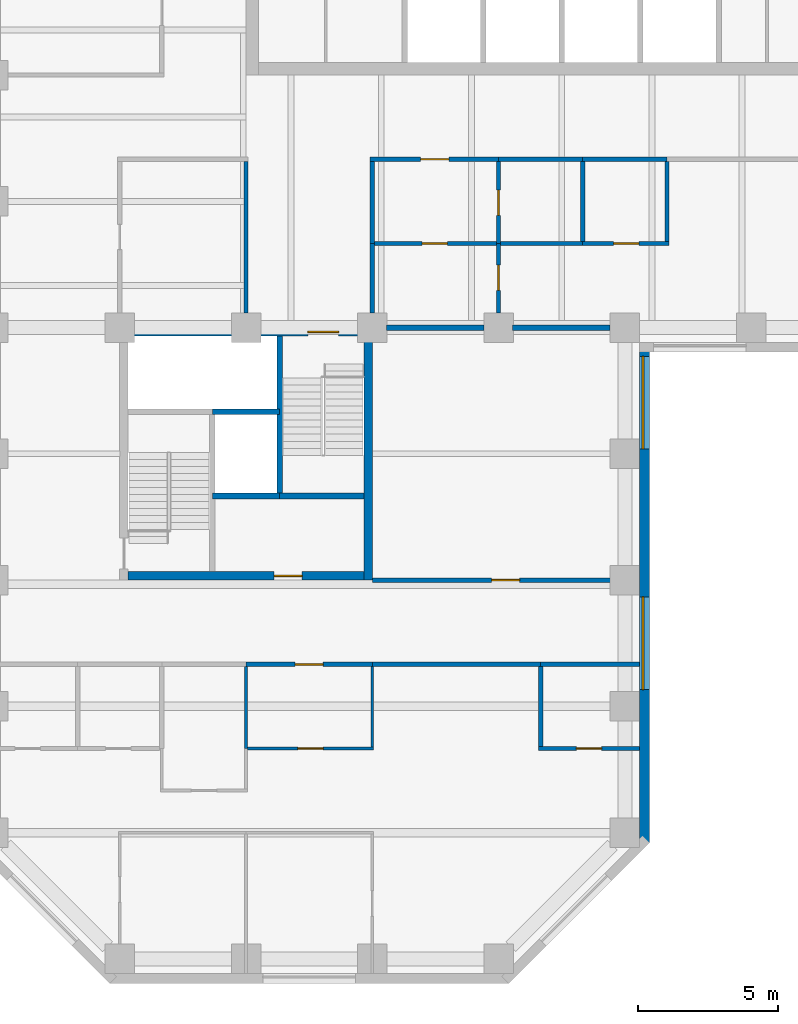
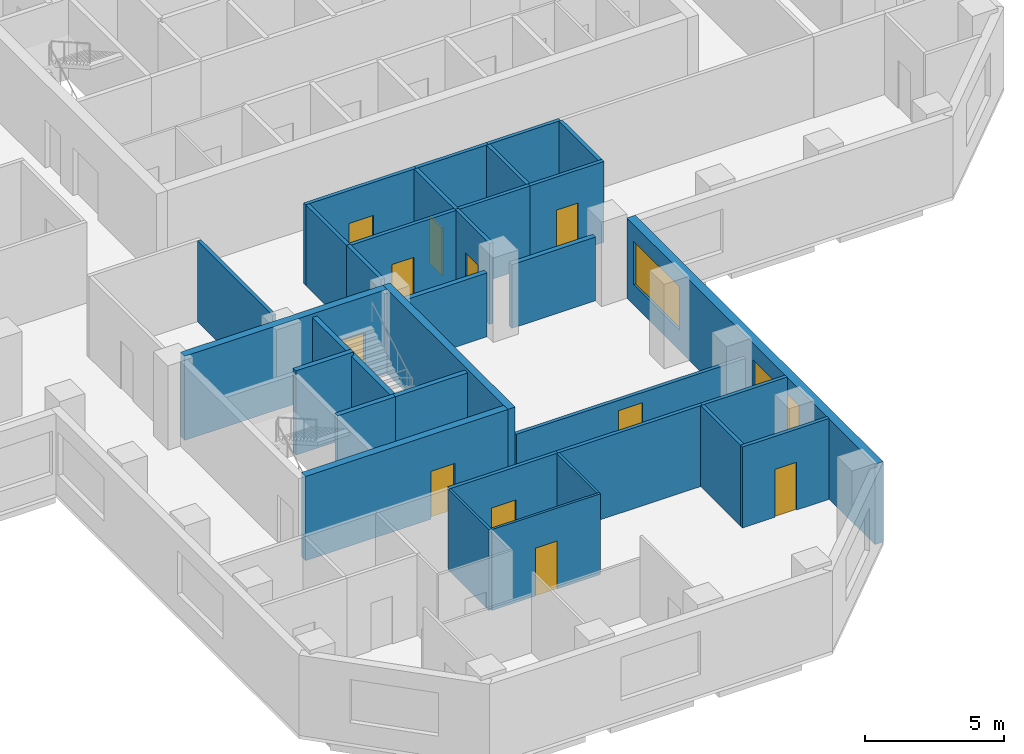
# One storey, part 4 of 10: 32 walls, 11 doors, 2 windows, 13 openings.
"""IFC4 building model written with IfcOpenShell, lengths in metres."""

from ifc_helpers import new_model, si_unit, direction, frame, frame_2d, origin, place, context, subcontext, project, spatial, rectangle, extrude, material, layer, layer_set, constituent, constituent_set, type_object, element, fill, save


model = new_model("IFC4")

# Units and contexts
model_context = context("Model", 3, precision=1e-05, world=origin(), true_north=direction((0.0, 1.0)))
body_context = subcontext(model_context, "Body", "Model", "MODEL_VIEW")
ifc_project = project(units=[si_unit("LENGTHUNIT", "METRE"), si_unit("AREAUNIT", "SQUARE_METRE"), si_unit("VOLUMEUNIT", "CUBIC_METRE"), si_unit("PLANEANGLEUNIT", "RADIAN"), si_unit("MASSUNIT", "GRAM", prefix="KILO")], contexts=[model_context])

# Site, building, storey
site_placement = place(None, origin())
site = spatial("IfcSite", under=ifc_project, at=site_placement, CompositionType="ELEMENT")
building_placement = place(site_placement, origin())
building = spatial("IfcBuilding", under=site, at=building_placement, Name="Quoin Convention Tower", CompositionType="ELEMENT")
storey_placement = place(building_placement, frame((0.0, 0.0, 86.300048828125)))
storey = spatial("IfcBuildingStorey", under=building, at=storey_placement, Name="L22", CompositionType="ELEMENT", Elevation=86.300048828125)

# Wall, opening, door
ifc_material_1 = material(Name="Plasterboard")
ifc_layer_1 = layer(ifc_material_1, 0.012451171875, Name="Finish")
ifc_material_2 = material(Name="Steel stud framing", Category="steel")
ifc_layer_2 = layer(ifc_material_2, 0.125, Name="Structure")
ifc_layer_3 = layer(ifc_material_1, 0.012451171875, Name="Finish")
ifc_layer_set_1 = layer_set([ifc_layer_1, ifc_layer_2, ifc_layer_3], Name="Steel stud framing")
wall_type_1 = type_object("IfcWallType", Name="Acoustic partition 150", PredefinedType="PARTITIONING", material=ifc_layer_set_1)
wall_1_placement = place(storey_placement, frame((49.574951171875, 43.5, 0.0), z_axis=(0.0, 0.0, 1.0), x_axis=(1.0, 0.0, 0.0)))
wall_1 = element("IfcWall", 1, at=wall_1_placement, inside=storey, type_object=wall_type_1, Name="pw-L22-017", PredefinedType="PARTITIONING", context=body_context, shape_type="SweptSolid", body=[
    extrude(rectangle(XDim=4.35009765625, YDim=0.14990234375, at=frame_2d((2.175048828125, 0.0))), origin(), (0.0, 0.0, 1.0), 3.550048828125),
])
opening_1_placement = place(wall_1_placement, frame((1.699951171875, 0.0, 0.0)))
opening_1 = element("IfcOpeningElement", 2, at=opening_1_placement, cuts=wall_1, Name="Opening DOL2-08", PredefinedType="OPENING", context=body_context, shape_type="SweptSolid", body=[
    extrude(rectangle(XDim=0.89990234375, YDim=2.10009765625, at=frame_2d((0.449951171875, 1.050048828125))), frame((0.0, 0.0849609375, 0.0), z_axis=(0.0, -1.0, 0.0), x_axis=(1.0, 0.0, 0.0)), (0.0, 0.0, 1.0), 0.169921875),
])
ifc_material_3 = material(Name="Steel door leaf", Category="steel")
door_type_1 = type_object("IfcDoorType", Name="Office door 900 x 2100", OperationType="SINGLE_SWING_RIGHT", PredefinedType="DOOR", material=ifc_material_3)
door_1_placement = place(opening_1_placement, frame((0.89990234375, 0.0, 0.0), z_axis=(0.0, 0.0, 1.0), x_axis=(-1.0, 0.0, 0.0)))
door_1 = element("IfcDoor", 3, at=door_1_placement, inside=storey, type_object=door_type_1, Name="dr-L22-22", OperationType="SINGLE_SWING_LEFT", OverallHeight=2.10009765625, OverallWidth=0.89990234375, PredefinedType="DOOR", context=body_context, shape_type="SweptSolid", body=[
    extrude(rectangle(XDim=0.89990234375, YDim=2.10009765625, at=frame_2d((0.449951171875, 1.050048828125))), frame((0.0, 0.02490234375, 0.0), z_axis=(0.0, -1.0, 0.0), x_axis=(1.0, 0.0, 0.0)), (0.0, 0.0, 1.0), 0.050048828125),
])
fill(opening_1, door_1)

wall_2_placement = place(storey_placement, frame((54.0, 41.02490234375, 0.0), z_axis=(0.0, 0.0, 1.0), x_axis=(0.0, 1.0, 0.0)))
wall_2 = element("IfcWall", 4, at=wall_2_placement, inside=storey, type_object=wall_type_1, Name="pw-L22-071", PredefinedType="PARTITIONING", context=body_context, shape_type="SweptSolid", body=[
    extrude(rectangle(XDim=2.47509765625, YDim=0.14990234375, at=frame_2d((1.237548828125, 0.0))), origin(), (0.0, 0.0, 1.0), 3.550048828125),
])
opening_2_placement = place(wall_2_placement, frame((0.800048828125, 0.0, 0.0)))
opening_2 = element("IfcOpeningElement", 5, at=opening_2_placement, cuts=wall_2, Name="Opening DOL2-22", PredefinedType="OPENING", context=body_context, shape_type="SweptSolid", body=[
    extrude(rectangle(XDim=0.89990234375, YDim=2.10009765625, at=frame_2d((0.449951171875, 1.050048828125))), frame((0.0, 0.0849609375, 0.0), z_axis=(0.0, -1.0, 0.0), x_axis=(1.0, 0.0, 0.0)), (0.0, 0.0, 1.0), 0.169921875),
])
door_2_placement = place(opening_2_placement, frame((0.89990234375, 0.0, 0.0), z_axis=(0.0, 0.0, 1.0), x_axis=(-1.0, 0.0, 0.0)))
door_2 = element("IfcDoor", 6, at=door_2_placement, inside=storey, type_object=door_type_1, Name="dr-L22-24", OperationType="SINGLE_SWING_LEFT", OverallHeight=2.10009765625, OverallWidth=0.89990234375, PredefinedType="DOOR", context=body_context, shape_type="SweptSolid", body=[
    extrude(rectangle(XDim=0.89990234375, YDim=2.10009765625, at=frame_2d((0.449951171875, 1.050048828125))), frame((0.0, 0.02490234375, 0.0), z_axis=(0.0, -1.0, 0.0), x_axis=(1.0, 0.0, 0.0)), (0.0, 0.0, 1.0), 0.050048828125),
])
fill(opening_2, door_2)

# Wall, openings, windows
ifc_material_4 = material(Name="Brick masonry", Category="masonry")
ifc_layer_4 = layer(ifc_material_4, 0.35009765625)
ifc_layer_set_2 = layer_set([ifc_layer_4], Name="Brick masonry")
wall_type_2 = type_object("IfcWallType", Name="Brick facade wall", PredefinedType="STANDARD", material=ifc_layer_set_2)
wall_3_placement = place(storey_placement, frame((59.199951171875, 22.1376953125, 0.0), z_axis=(0.0, 0.0, 1.0), x_axis=(0.0, 1.0, 0.0)))
wall_3 = element("IfcWall", 7, at=wall_3_placement, inside=storey, type_object=wall_type_2, Name="fw-L22-58500_22500", PredefinedType="STANDARD", context=body_context, shape_type="SweptSolid", body=[
    extrude(rectangle(XDim=17.83740234375, YDim=0.35009765625, at=frame_2d((8.918701171875, 0.0))), origin(), (0.0, 0.0, 1.0), 3.52490234375),
])
opening_3_placement = place(wall_3_placement, frame((5.46240234375, 0.0, 0.89990234375)))
opening_3 = element("IfcOpeningElement", 8, at=opening_3_placement, cuts=wall_3, Name="Opening W-02", PredefinedType="OPENING", context=body_context, shape_type="SweptSolid", body=[
    extrude(rectangle(XDim=3.300048828125, YDim=1.89990234375, at=frame_2d((1.64990234375, 0.949951171875))), frame((0.0, 0.18505859375, 0.0), z_axis=(0.0, -1.0, 0.0), x_axis=(1.0, 0.0, 0.0)), (0.0, 0.0, 1.0), 0.3701171875),
])
opening_4_placement = place(wall_3_placement, frame((14.037353515625, 0.0, 0.89990234375)))
opening_4 = element("IfcOpeningElement", 9, at=opening_4_placement, cuts=wall_3, Name="Opening W-02", PredefinedType="OPENING", context=body_context, shape_type="SweptSolid", body=[
    extrude(rectangle(XDim=3.300048828125, YDim=1.89990234375, at=frame_2d((1.64990234375, 0.949951171875))), frame((0.0, 0.18505859375, 0.0), z_axis=(0.0, -1.0, 0.0), x_axis=(1.0, 0.0, 0.0)), (0.0, 0.0, 1.0), 0.3701171875),
])
ifc_material_5 = material(Name="Aluminium", Category="aluminium")
ifc_constituent_1 = constituent(ifc_material_5, Name="Frame")
ifc_material_6 = material(Name="Insulated glass", Category="glass")
ifc_constituent_2 = constituent(ifc_material_6, Name="Glazing")
ifc_constituent_set = constituent_set(constituents=[ifc_constituent_1, ifc_constituent_2], Name="Aluminium")
window_type = type_object("IfcWindowType", Name="Office window", PartitioningType="DOUBLE_PANEL_VERTICAL", PredefinedType="WINDOW", material=ifc_constituent_set)
window_1_placement = place(opening_3_placement, origin())
window_1 = element("IfcWindow", 10, at=window_1_placement, inside=storey, type_object=window_type, Name="win-L22-59200_29250", OverallHeight=1.89990234375, OverallWidth=3.300048828125, PartitioningType="SINGLE_PANEL", PredefinedType="WINDOW", context=body_context, shape_type="SweptSolid", body=[
    extrude(rectangle(XDim=3.300048828125, YDim=1.89990234375, at=frame_2d((1.64990234375, 0.949951171875))), frame((0.0, 0.0849609375, 0.0), z_axis=(0.0, -1.0, 0.0), x_axis=(1.0, 0.0, 0.0)), (0.0, 0.0, 1.0), 0.06005859375),
])
fill(opening_3, window_1)
window_2_placement = place(opening_4_placement, origin())
window_2 = element("IfcWindow", 11, at=window_2_placement, inside=storey, type_object=window_type, Name="win-L22-59200_38250", OverallHeight=1.89990234375, OverallWidth=3.300048828125, PartitioningType="SINGLE_PANEL", PredefinedType="WINDOW", context=body_context, shape_type="SweptSolid", body=[
    extrude(rectangle(XDim=3.300048828125, YDim=1.89990234375, at=frame_2d((1.64990234375, 0.949951171875))), frame((0.0, 0.0849609375, 0.0), z_axis=(0.0, -1.0, 0.0), x_axis=(1.0, 0.0, 0.0)), (0.0, 0.0, 1.0), 0.06005859375),
])
fill(opening_4, window_2)

# Walls
ifc_material_7 = material(Name="Concrete C50", Category="concrete")
ifc_layer_5 = layer(ifc_material_7, 0.199951171875)
ifc_layer_set_3 = layer_set([ifc_layer_5], Name="Concrete C50")
wall_type_3 = type_object("IfcWallType", Name="Core shaft wall", PredefinedType="SOLIDWALL", material=ifc_layer_set_3)
wall_4_placement = place(storey_placement, frame((43.800048828125, 34.5, 0.0), z_axis=(0.0, 0.0, 1.0), x_axis=(1.0, 0.0, 0.0)))
element("IfcWall", 12, at=wall_4_placement, inside=storey, type_object=wall_type_3, Name="cr-P3-L22-h3000_3300", PredefinedType="SOLIDWALL", context=body_context, shape_type="SweptSolid", body=[
    extrude(rectangle(XDim=2.39990234375, YDim=0.199951171875, at=frame_2d((1.199951171875, 0.0))), origin(), (0.0, 0.0, 1.0), 3.550048828125),
])
wall_5_placement = place(storey_placement, frame((46.199951171875, 34.5, 0.0), z_axis=(0.0, 0.0, 1.0), x_axis=(1.0, 0.0, 0.0)))
element("IfcWall", 13, at=wall_5_placement, inside=storey, type_object=wall_type_3, Name="cr-P3-L22-h3000_5700", PredefinedType="SOLIDWALL", context=body_context, shape_type="SweptSolid", body=[
    extrude(rectangle(XDim=3.0, YDim=0.199951171875, at=frame_2d((1.5, 0.0))), origin(), (0.0, 0.0, 1.0), 3.550048828125),
])
wall_6_placement = place(storey_placement, frame((46.199951171875, 34.5, 0.0), z_axis=(0.0, 0.0, 1.0), x_axis=(0.0, 1.0, 0.0)))
element("IfcWall", 14, at=wall_6_placement, inside=storey, type_object=wall_type_3, Name="cr-P3-L22-v5700_3000", PredefinedType="SOLIDWALL", context=body_context, shape_type="SweptSolid", body=[
    extrude(rectangle(XDim=5.699951171875, YDim=0.199951171875, at=frame_2d((2.85009765625, 0.0))), origin(), (0.0, 0.0, 1.0), 3.550048828125),
])
ifc_layer_6 = layer(ifc_material_7, 0.199951171875)
ifc_layer_set_4 = layer_set([ifc_layer_6], Name="Concrete C50")
wall_type_4 = type_object("IfcWallType", Name="Core shaft wall to the floor level over", PredefinedType="SOLIDWALL", material=ifc_layer_set_4)
wall_7_placement = place(storey_placement, frame((43.800048828125, 37.5, 0.0), z_axis=(0.0, 0.0, 1.0), x_axis=(1.0, 0.0, 0.0)))
element("IfcWall", 15, at=wall_7_placement, inside=storey, type_object=wall_type_4, Name="cr-P3-L22-h6000_3300", PredefinedType="SOLIDWALL", context=body_context, shape_type="SweptSolid", body=[
    extrude(rectangle(XDim=2.39990234375, YDim=0.199951171875, at=frame_2d((1.199951171875, 0.0))), origin(), (0.0, 0.0, 1.0), 3.699951171875),
])

# Wall, opening, door
ifc_layer_7 = layer(ifc_material_1, 0.012451171875, Name="Finish")
ifc_layer_8 = layer(ifc_material_2, 0.125, Name="Structure")
ifc_layer_9 = layer(ifc_material_1, 0.012451171875, Name="Finish")
ifc_layer_set_5 = layer_set([ifc_layer_7, ifc_layer_8, ifc_layer_9], Name="Steel stud framing")
wall_type_5 = type_object("IfcWallType", Name="Corridor wall 150", PredefinedType="PARTITIONING", material=ifc_layer_set_5)
wall_8_placement = place(storey_placement, frame((45.0, 28.5, 0.0), z_axis=(0.0, 0.0, 1.0), x_axis=(1.0, 0.0, 0.0)))
wall_8 = element("IfcWall", 16, at=wall_8_placement, inside=storey, type_object=wall_type_5, Name="pw-L22-011", PredefinedType="PARTITIONING", context=body_context, shape_type="SweptSolid", body=[
    extrude(rectangle(XDim=4.5, YDim=0.14990234375, at=frame_2d((2.25, 0.0))), origin(), (0.0, 0.0, 1.0), 3.550048828125),
])
opening_5_placement = place(wall_8_placement, frame((1.75, 0.0, 0.0)))
opening_5 = element("IfcOpeningElement", 17, at=opening_5_placement, cuts=wall_8, Name="Opening DOL2-06", PredefinedType="OPENING", context=body_context, shape_type="SweptSolid", body=[
    extrude(rectangle(XDim=1.0, YDim=2.10009765625, at=frame_2d((0.5, 1.050048828125))), frame((0.0, 0.0849609375, 0.0), z_axis=(0.0, -1.0, 0.0), x_axis=(1.0, 0.0, 0.0)), (0.0, 0.0, 1.0), 0.169921875),
])
door_type_2 = type_object("IfcDoorType", Name="Tenancy entrance door 1000 x 2100", OperationType="DOUBLE_DOOR_SINGLE_SWING", PredefinedType="DOOR", material=ifc_material_3)
door_3_placement = place(opening_5_placement, origin())
door_3 = element("IfcDoor", 18, at=door_3_placement, inside=storey, type_object=door_type_2, Name="dr-L22-12", OperationType="DOUBLE_DOOR_SINGLE_SWING", OverallHeight=2.10009765625, OverallWidth=1.0, PredefinedType="DOOR", context=body_context, shape_type="SweptSolid", body=[
    extrude(rectangle(XDim=1.0, YDim=2.10009765625, at=frame_2d((0.5, 1.050048828125))), frame((0.0, 0.02490234375, 0.0), z_axis=(0.0, -1.0, 0.0), x_axis=(1.0, 0.0, 0.0)), (0.0, 0.0, 1.0), 0.050048828125),
])
fill(opening_5, door_3)

# Walls
wall_9_placement = place(storey_placement, frame((49.5, 28.5, 0.0), z_axis=(0.0, 0.0, 1.0), x_axis=(1.0, 0.0, 0.0)))
element("IfcWall", 19, at=wall_9_placement, inside=storey, type_object=wall_type_5, Name="pw-L22-012", PredefinedType="PARTITIONING", context=body_context, shape_type="SweptSolid", body=[
    extrude(rectangle(XDim=6.0, YDim=0.14990234375, at=frame_2d((3.0, 0.0))), origin(), (0.0, 0.0, 1.0), 3.550048828125),
])
wall_10_placement = place(storey_placement, frame((55.5, 28.5, 0.0), z_axis=(0.0, 0.0, 1.0), x_axis=(1.0, 0.0, 0.0)))
element("IfcWall", 20, at=wall_10_placement, inside=storey, type_object=wall_type_5, Name="pw-L22-013", PredefinedType="PARTITIONING", context=body_context, shape_type="SweptSolid", body=[
    extrude(rectangle(XDim=3.52490234375, YDim=0.14990234375, at=frame_2d((1.762451171875, 0.0))), origin(), (0.0, 0.0, 1.0), 3.550048828125),
])

# Wall, opening, door
wall_11_placement = place(storey_placement, frame((49.425048828125, 46.5, 0.0), z_axis=(0.0, 0.0, 1.0), x_axis=(1.0, 0.0, 0.0)))
wall_11 = element("IfcWall", 21, at=wall_11_placement, inside=storey, type_object=wall_type_5, Name="pw-L22-025", PredefinedType="PARTITIONING", context=body_context, shape_type="SweptSolid", body=[
    extrude(rectangle(XDim=4.574951171875, YDim=0.14990234375, at=frame_2d((2.28759765625, 0.0))), origin(), (0.0, 0.0, 1.0), 3.550048828125),
])
opening_6_placement = place(wall_11_placement, frame((1.800048828125, 0.0, 0.0)))
opening_6 = element("IfcOpeningElement", 22, at=opening_6_placement, cuts=wall_11, Name="Opening DOL2-10", PredefinedType="OPENING", context=body_context, shape_type="SweptSolid", body=[
    extrude(rectangle(XDim=1.0, YDim=2.10009765625, at=frame_2d((0.5, 1.050048828125))), frame((0.0, 0.0849609375, 0.0), z_axis=(0.0, -1.0, 0.0), x_axis=(1.0, 0.0, 0.0)), (0.0, 0.0, 1.0), 0.169921875),
])
door_4_placement = place(opening_6_placement, origin())
door_4 = element("IfcDoor", 23, at=door_4_placement, inside=storey, type_object=door_type_2, Name="dr-L22-21", OperationType="DOUBLE_DOOR_SINGLE_SWING", OverallHeight=2.10009765625, OverallWidth=1.0, PredefinedType="DOOR", context=body_context, shape_type="SweptSolid", body=[
    extrude(rectangle(XDim=1.0, YDim=2.10009765625, at=frame_2d((0.5, 1.050048828125))), frame((0.0, 0.02490234375, 0.0), z_axis=(0.0, -1.0, 0.0), x_axis=(1.0, 0.0, 0.0)), (0.0, 0.0, 1.0), 0.050048828125),
])
fill(opening_6, door_4)

# Walls
for number, where, z_axis, x_axis, name in (
    (24, (54.0, 46.5, 0.0), (0.0, 0.0, 1.0), (1.0, 0.0, 0.0), "pw-L22-026"),
    (25, (57.0, 46.5, 0.0), (0.0, 0.0, 1.0), (1.0, 0.0, 0.0), "pw-L22-027"),
):
    element("IfcWall", number, at=place(storey_placement, frame(where, z_axis=z_axis, x_axis=x_axis)), inside=storey, type_object=wall_type_5, Name=name, PredefinedType="PARTITIONING", context=body_context, shape_type="SweptSolid", body=[
        extrude(rectangle(XDim=3.0, YDim=0.14990234375, at=frame_2d((1.5, 0.0))), origin(), (0.0, 0.0, 1.0), 3.550048828125),
    ])
wall_12_placement = place(storey_placement, frame((45.0, 41.02490234375, 0.0), z_axis=(0.0, 0.0, 1.0), x_axis=(0.0, 1.0, 0.0)))
element("IfcWall", 26, at=wall_12_placement, inside=storey, type_object=wall_type_5, Name="pw-L22-069", PredefinedType="PARTITIONING", context=body_context, shape_type="SweptSolid", body=[
    extrude(rectangle(XDim=5.400146484375, YDim=0.14990234375, at=frame_2d((2.7001953125, 0.0))), origin(), (0.0, 0.0, 1.0), 3.550048828125),
])
wall_13_placement = place(storey_placement, frame((49.5, 41.02490234375, 0.0), z_axis=(0.0, 0.0, 1.0), x_axis=(0.0, 1.0, 0.0)))
element("IfcWall", 27, at=wall_13_placement, inside=storey, type_object=wall_type_5, Name="pw-L22-070", PredefinedType="PARTITIONING", context=body_context, shape_type="SweptSolid", body=[
    extrude(rectangle(XDim=2.47509765625, YDim=0.14990234375, at=frame_2d((1.237548828125, 0.0))), origin(), (0.0, 0.0, 1.0), 3.550048828125),
])
wall_14_placement = place(storey_placement, frame((49.5, 43.5, 0.0), z_axis=(0.0, 0.0, 1.0), x_axis=(0.0, 1.0, 0.0)))
element("IfcWall", 28, at=wall_14_placement, inside=storey, type_object=wall_type_5, Name="pw-L22-072", PredefinedType="PARTITIONING", context=body_context, shape_type="SweptSolid", body=[
    extrude(rectangle(XDim=2.925048828125, YDim=0.14990234375, at=frame_2d((1.46240234375, 0.0))), origin(), (0.0, 0.0, 1.0), 3.550048828125),
])

# Wall, opening, door
ifc_layer_10 = layer(ifc_material_1, 0.012451171875, Name="Finish")
ifc_layer_11 = layer(ifc_material_2, 0.125, Name="Structure")
ifc_layer_12 = layer(ifc_material_1, 0.012451171875, Name="Finish")
ifc_layer_set_6 = layer_set([ifc_layer_10, ifc_layer_11, ifc_layer_12], Name="Steel stud framing")
wall_type_6 = type_object("IfcWallType", Name="Corridor wall 150 under beam 1000", PredefinedType="PARTITIONING", material=ifc_layer_set_6)
wall_15_placement = place(storey_placement, frame((49.5, 31.5, 0.0), z_axis=(0.0, 0.0, 1.0), x_axis=(1.0, 0.0, 0.0)))
wall_15 = element("IfcWall", 29, at=wall_15_placement, inside=storey, type_object=wall_type_6, Name="pw-L22-014", PredefinedType="PARTITIONING", context=body_context, shape_type="SweptSolid", body=[
    extrude(rectangle(XDim=9.52490234375, YDim=0.14990234375, at=frame_2d((4.762451171875, 0.0))), origin(), (0.0, 0.0, 1.0), 2.550048828125),
])
opening_7_placement = place(wall_15_placement, frame((4.25, 0.0, 0.0)))
opening_7 = element("IfcOpeningElement", 30, at=opening_7_placement, cuts=wall_15, Name="Opening DOL2-07", PredefinedType="OPENING", context=body_context, shape_type="SweptSolid", body=[
    extrude(rectangle(XDim=1.0, YDim=2.10009765625, at=frame_2d((0.5, 1.050048828125))), frame((0.0, 0.0849609375, 0.0), z_axis=(0.0, -1.0, 0.0), x_axis=(1.0, 0.0, 0.0)), (0.0, 0.0, 1.0), 0.169921875),
])
door_5_placement = place(opening_7_placement, origin())
door_5 = element("IfcDoor", 31, at=door_5_placement, inside=storey, type_object=door_type_2, Name="dr-L22-20", OperationType="DOUBLE_DOOR_SINGLE_SWING", OverallHeight=2.10009765625, OverallWidth=1.0, PredefinedType="DOOR", context=body_context, shape_type="SweptSolid", body=[
    extrude(rectangle(XDim=1.0, YDim=2.10009765625, at=frame_2d((0.5, 1.050048828125))), frame((0.0, 0.02490234375, 0.0), z_axis=(0.0, -1.0, 0.0), x_axis=(1.0, 0.0, 0.0)), (0.0, 0.0, 1.0), 0.050048828125),
])
fill(opening_7, door_5)

ifc_material_8 = material(Name="Concrete C65", Category="concrete")
ifc_layer_13 = layer(ifc_material_8, 0.300048828125)
ifc_layer_set_7 = layer_set([ifc_layer_13], Name="Concrete C65")
wall_type_7 = type_object("IfcWallType", Name="RC CORE WALL 300 C65", PredefinedType="SHEAR", material=ifc_layer_set_7)
wall_16_placement = place(storey_placement, frame((40.800048828125, 31.64990234375, 0.0), z_axis=(0.0, 0.0, 1.0), x_axis=(1.0, 0.0, 0.0)))
wall_16 = element("IfcWall", 32, at=wall_16_placement, inside=storey, type_object=wall_type_7, Name="cwl-P3-L22-S", PredefinedType="SHEAR", context=body_context, shape_type="SweptSolid", body=[
    extrude(rectangle(XDim=8.39990234375, YDim=0.300048828125, at=frame_2d((4.199951171875, 0.0))), origin(), (0.0, 0.0, 1.0), 3.699951171875),
])
opening_8_placement = place(wall_16_placement, frame((5.199951171875, 0.0, 0.0)))
opening_8 = element("IfcOpeningElement", 33, at=opening_8_placement, cuts=wall_16, Name="Opening DCV2-42", PredefinedType="OPENING", context=body_context, shape_type="SweptSolid", body=[
    extrude(rectangle(XDim=1.0, YDim=2.10009765625, at=frame_2d((0.5, 1.050048828125))), frame((0.0, 0.159912109375, 0.0), z_axis=(0.0, -1.0, 0.0), x_axis=(1.0, 0.0, 0.0)), (0.0, 0.0, 1.0), 0.320068359375),
])
door_type_3 = type_object("IfcDoorType", Name="Service door 1000 x 2100", OperationType="SINGLE_SWING_LEFT", PredefinedType="DOOR", material=ifc_material_3)
door_6_placement = place(opening_8_placement, origin())
door_6 = element("IfcDoor", 34, at=door_6_placement, inside=storey, type_object=door_type_3, Name="cd-P3-L22-R2-S", OperationType="SINGLE_SWING_LEFT", OverallHeight=2.10009765625, OverallWidth=1.0, PredefinedType="DOOR", context=body_context, shape_type="SweptSolid", body=[
    extrude(rectangle(XDim=1.0, YDim=2.10009765625, at=frame_2d((0.5, 1.050048828125))), frame((0.0, 0.02490234375, 0.0), z_axis=(0.0, -1.0, 0.0), x_axis=(1.0, 0.0, 0.0)), (0.0, 0.0, 1.0), 0.050048828125),
])
fill(opening_8, door_6)

wall_17_placement = place(storey_placement, frame((40.800048828125, 40.35009765625, 0.0), z_axis=(0.0, 0.0, 1.0), x_axis=(1.0, 0.0, 0.0)))
wall_17 = element("IfcWall", 35, at=wall_17_placement, inside=storey, type_object=wall_type_7, Name="cwl-P3-L22-N", PredefinedType="SHEAR", context=body_context, shape_type="SweptSolid", body=[
    extrude(rectangle(XDim=8.39990234375, YDim=0.300048828125, at=frame_2d((4.199951171875, 0.0))), origin(), (0.0, 0.0, 1.0), 3.699951171875),
])
opening_9_placement = place(wall_17_placement, frame((6.39990234375, 0.0, 0.0)))
opening_9 = element("IfcOpeningElement", 36, at=opening_9_placement, cuts=wall_17, Name="Opening SD6", PredefinedType="OPENING", context=body_context, shape_type="SweptSolid", body=[
    extrude(rectangle(XDim=1.10009765625, YDim=2.10009765625, at=frame_2d((0.550048828125, 1.050048828125))), frame((0.0, 0.159912109375, 0.0), z_axis=(0.0, -1.0, 0.0), x_axis=(1.0, 0.0, 0.0)), (0.0, 0.0, 1.0), 0.320068359375),
])
door_type_4 = type_object("IfcDoorType", Name="Stair door 1100 x 2100", OperationType="SINGLE_SWING_RIGHT", PredefinedType="DOOR", material=ifc_material_3)
door_7_placement = place(opening_9_placement, frame((1.10009765625, 0.0, 0.0), z_axis=(0.0, 0.0, 1.0), x_axis=(-1.0, 0.0, 0.0)))
door_7 = element("IfcDoor", 37, at=door_7_placement, inside=storey, type_object=door_type_4, Name="cd-P3-L22-SB-N", OperationType="SINGLE_SWING_LEFT", OverallHeight=2.10009765625, OverallWidth=1.10009765625, PredefinedType="DOOR", context=body_context, shape_type="SweptSolid", body=[
    extrude(rectangle(XDim=1.10009765625, YDim=2.10009765625, at=frame_2d((0.550048828125, 1.050048828125))), frame((0.0, 0.02490234375, 0.0), z_axis=(0.0, -1.0, 0.0), x_axis=(1.0, 0.0, 0.0)), (0.0, 0.0, 1.0), 0.050048828125),
])
fill(opening_9, door_7)

# Wall
wall_18_placement = place(storey_placement, frame((49.35009765625, 31.5, 0.0), z_axis=(0.0, 0.0, 1.0), x_axis=(0.0, 1.0, 0.0)))
element("IfcWall", 38, at=wall_18_placement, inside=storey, type_object=wall_type_7, Name="cwl-P3-L22-E", PredefinedType="SHEAR", context=body_context, shape_type="SweptSolid", body=[
    extrude(rectangle(XDim=9.0, YDim=0.300048828125, at=frame_2d((4.5, 0.0))), origin(), (0.0, 0.0, 1.0), 3.699951171875),
])

# Wall, opening, door
ifc_layer_14 = layer(ifc_material_1, 0.012451171875, Name="Finish")
ifc_layer_15 = layer(ifc_material_2, 0.074951171875, Name="Structure")
ifc_layer_16 = layer(ifc_material_1, 0.012451171875, Name="Finish")
ifc_layer_set_8 = layer_set([ifc_layer_14, ifc_layer_15, ifc_layer_16], Name="Steel stud framing")
wall_type_8 = type_object("IfcWallType", Name="Stud partition 100", PredefinedType="PARTITIONING", material=ifc_layer_set_8)
wall_19_placement = place(storey_placement, frame((45.050048828125, 25.5, 0.0), z_axis=(0.0, 0.0, 1.0), x_axis=(1.0, 0.0, 0.0)))
wall_19 = element("IfcWall", 39, at=wall_19_placement, inside=storey, type_object=wall_type_8, Name="pw-L22-006", PredefinedType="PARTITIONING", context=body_context, shape_type="SweptSolid", body=[
    extrude(rectangle(XDim=4.5, YDim=0.10009765625, at=frame_2d((2.25, 0.0))), origin(), (0.0, 0.0, 1.0), 3.550048828125),
])
opening_10_placement = place(wall_19_placement, frame((1.800048828125, 0.0, 0.0)))
opening_10 = element("IfcOpeningElement", 40, at=opening_10_placement, cuts=wall_19, Name="Opening DOL2-04", PredefinedType="OPENING", context=body_context, shape_type="SweptSolid", body=[
    extrude(rectangle(XDim=0.89990234375, YDim=2.10009765625, at=frame_2d((0.449951171875, 1.050048828125))), frame((0.0, 0.06005859375, 0.0), z_axis=(0.0, -1.0, 0.0), x_axis=(1.0, 0.0, 0.0)), (0.0, 0.0, 1.0), 0.1201171875),
])
door_8_placement = place(opening_10_placement, frame((0.89990234375, 0.0, 0.0), z_axis=(0.0, 0.0, 1.0), x_axis=(-1.0, 0.0, 0.0)))
door_8 = element("IfcDoor", 41, at=door_8_placement, inside=storey, type_object=door_type_1, Name="dr-L22-13", OperationType="SINGLE_SWING_LEFT", OverallHeight=2.10009765625, OverallWidth=0.89990234375, PredefinedType="DOOR", context=body_context, shape_type="SweptSolid", body=[
    extrude(rectangle(XDim=0.89990234375, YDim=2.10009765625, at=frame_2d((0.449951171875, 1.050048828125))), frame((0.0, 0.02490234375, 0.0), z_axis=(0.0, -1.0, 0.0), x_axis=(1.0, 0.0, 0.0)), (0.0, 0.0, 1.0), 0.050048828125),
])
fill(opening_10, door_8)

# Walls
wall_20_placement = place(storey_placement, frame((45.0, 25.5, 0.0), z_axis=(0.0, 0.0, 1.0), x_axis=(0.0, 1.0, 0.0)))
element("IfcWall", 42, at=wall_20_placement, inside=storey, type_object=wall_type_8, Name="pw-L22-063", PredefinedType="PARTITIONING", context=body_context, shape_type="SweptSolid", body=[
    extrude(rectangle(XDim=2.925048828125, YDim=0.10009765625, at=frame_2d((1.46240234375, 0.0))), origin(), (0.0, 0.0, 1.0), 3.550048828125),
])
wall_21_placement = place(storey_placement, frame((49.5, 25.550048828125, 0.0), z_axis=(0.0, 0.0, 1.0), x_axis=(0.0, 1.0, 0.0)))
element("IfcWall", 43, at=wall_21_placement, inside=storey, type_object=wall_type_8, Name="pw-L22-064", PredefinedType="PARTITIONING", context=body_context, shape_type="SweptSolid", body=[
    extrude(rectangle(XDim=2.875, YDim=0.10009765625, at=frame_2d((1.4375, 0.0))), origin(), (0.0, 0.0, 1.0), 3.550048828125),
])
ifc_layer_17 = layer(ifc_material_1, 0.012451171875, Name="Finish")
ifc_layer_18 = layer(ifc_material_2, 0.175048828125, Name="Structure")
ifc_layer_19 = layer(ifc_material_1, 0.012451171875, Name="Finish")
ifc_layer_set_9 = layer_set([ifc_layer_17, ifc_layer_18, ifc_layer_19], Name="Steel stud framing")
wall_type_9 = type_object("IfcWallType", Name="Tenancy demising wall 200 under beam 750", PredefinedType="PARTITIONING", material=ifc_layer_set_9)
wall_22_placement = place(storey_placement, frame((50.014892578125, 40.5, 0.0), z_axis=(0.0, 0.0, 1.0), x_axis=(1.0, 0.0, 0.0)))
element("IfcWall", 44, at=wall_22_placement, inside=storey, type_object=wall_type_9, Name="pw-L22-015", PredefinedType="PARTITIONING", context=body_context, shape_type="SweptSolid", body=[
    extrude(rectangle(XDim=3.460205078125, YDim=0.199951171875, at=frame_2d((1.72998046875, 0.0))), origin(), (0.0, 0.0, 1.0), 2.800048828125),
])
wall_23_placement = place(storey_placement, frame((54.4951171875, 40.5, 0.0), z_axis=(0.0, 0.0, 1.0), x_axis=(1.0, 0.0, 0.0)))
element("IfcWall", 45, at=wall_23_placement, inside=storey, type_object=wall_type_9, Name="pw-L22-016", PredefinedType="PARTITIONING", context=body_context, shape_type="SweptSolid", body=[
    extrude(rectangle(XDim=3.47998046875, YDim=0.199951171875, at=frame_2d((1.739990234375, 0.0))), origin(), (0.0, 0.0, 1.0), 2.800048828125),
])

# Wall, opening, door
ifc_layer_20 = layer(ifc_material_1, 0.012451171875, Name="Finish")
ifc_layer_21 = layer(ifc_material_2, 0.125, Name="Structure")
ifc_layer_22 = layer(ifc_material_1, 0.012451171875, Name="Finish")
ifc_layer_set_10 = layer_set([ifc_layer_20, ifc_layer_21, ifc_layer_22], Name="Steel stud framing")
wall_type_10 = type_object("IfcWallType", Name="Wet area partition 150", PredefinedType="PARTITIONING", material=ifc_layer_set_10)
wall_24_placement = place(storey_placement, frame((55.425048828125, 25.5, 0.0), z_axis=(0.0, 0.0, 1.0), x_axis=(1.0, 0.0, 0.0)))
wall_24 = element("IfcWall", 46, at=wall_24_placement, inside=storey, type_object=wall_type_10, Name="pw-L22-007", PredefinedType="PARTITIONING", context=body_context, shape_type="SweptSolid", body=[
    extrude(rectangle(XDim=3.599853515625, YDim=0.14990234375, at=frame_2d((1.7998046875, 0.0))), origin(), (0.0, 0.0, 1.0), 3.550048828125),
])
opening_11_placement = place(wall_24_placement, frame((1.35009765625, 0.0, 0.0)))
opening_11 = element("IfcOpeningElement", 47, at=opening_11_placement, cuts=wall_24, Name="Opening DOL2-05", PredefinedType="OPENING", context=body_context, shape_type="SweptSolid", body=[
    extrude(rectangle(XDim=0.89990234375, YDim=2.10009765625, at=frame_2d((0.449951171875, 1.050048828125))), frame((0.0, 0.0849609375, 0.0), z_axis=(0.0, -1.0, 0.0), x_axis=(1.0, 0.0, 0.0)), (0.0, 0.0, 1.0), 0.169921875),
])
door_9_placement = place(opening_11_placement, frame((0.89990234375, 0.0, 0.0), z_axis=(0.0, 0.0, 1.0), x_axis=(-1.0, 0.0, 0.0)))
door_9 = element("IfcDoor", 48, at=door_9_placement, inside=storey, type_object=door_type_1, Name="dr-L22-17", OperationType="SINGLE_SWING_LEFT", OverallHeight=2.10009765625, OverallWidth=0.89990234375, PredefinedType="DOOR", context=body_context, shape_type="SweptSolid", body=[
    extrude(rectangle(XDim=0.89990234375, YDim=2.10009765625, at=frame_2d((0.449951171875, 1.050048828125))), frame((0.0, 0.02490234375, 0.0), z_axis=(0.0, -1.0, 0.0), x_axis=(1.0, 0.0, 0.0)), (0.0, 0.0, 1.0), 0.050048828125),
])
fill(opening_11, door_9)

# Wall
wall_25_placement = place(storey_placement, frame((54.074951171875, 43.5, 0.0), z_axis=(0.0, 0.0, 1.0), x_axis=(1.0, 0.0, 0.0)))
element("IfcWall", 49, at=wall_25_placement, inside=storey, type_object=wall_type_10, Name="pw-L22-018", PredefinedType="PARTITIONING", context=body_context, shape_type="SweptSolid", body=[
    extrude(rectangle(XDim=2.925048828125, YDim=0.14990234375, at=frame_2d((1.46240234375, 0.0))), origin(), (0.0, 0.0, 1.0), 3.550048828125),
])

# Wall, opening, door
wall_26_placement = place(storey_placement, frame((57.0, 43.5, 0.0), z_axis=(0.0, 0.0, 1.0), x_axis=(1.0, 0.0, 0.0)))
wall_26 = element("IfcWall", 50, at=wall_26_placement, inside=storey, type_object=wall_type_10, Name="pw-L22-019", PredefinedType="PARTITIONING", context=body_context, shape_type="SweptSolid", body=[
    extrude(rectangle(XDim=3.074951171875, YDim=0.14990234375, at=frame_2d((1.53759765625, 0.0))), origin(), (0.0, 0.0, 1.0), 3.550048828125),
])
opening_12_placement = place(wall_26_placement, frame((1.10009765625, 0.0, 0.0)))
opening_12 = element("IfcOpeningElement", 51, at=opening_12_placement, cuts=wall_26, Name="Opening DOL2-09", PredefinedType="OPENING", context=body_context, shape_type="SweptSolid", body=[
    extrude(rectangle(XDim=0.89990234375, YDim=2.10009765625, at=frame_2d((0.449951171875, 1.050048828125))), frame((0.0, 0.0849609375, 0.0), z_axis=(0.0, -1.0, 0.0), x_axis=(1.0, 0.0, 0.0)), (0.0, 0.0, 1.0), 0.169921875),
])
door_10_placement = place(opening_12_placement, frame((0.89990234375, 0.0, 0.0), z_axis=(0.0, 0.0, 1.0), x_axis=(-1.0, 0.0, 0.0)))
door_10 = element("IfcDoor", 52, at=door_10_placement, inside=storey, type_object=door_type_1, Name="dr-L22-25", OperationType="SINGLE_SWING_LEFT", OverallHeight=2.10009765625, OverallWidth=0.89990234375, PredefinedType="DOOR", context=body_context, shape_type="SweptSolid", body=[
    extrude(rectangle(XDim=0.89990234375, YDim=2.10009765625, at=frame_2d((0.449951171875, 1.050048828125))), frame((0.0, 0.02490234375, 0.0), z_axis=(0.0, -1.0, 0.0), x_axis=(1.0, 0.0, 0.0)), (0.0, 0.0, 1.0), 0.050048828125),
])
fill(opening_12, door_10)

# Wall
wall_27_placement = place(storey_placement, frame((55.5, 25.574951171875, 0.0), z_axis=(0.0, 0.0, 1.0), x_axis=(0.0, 1.0, 0.0)))
element("IfcWall", 53, at=wall_27_placement, inside=storey, type_object=wall_type_10, Name="pw-L22-066", PredefinedType="PARTITIONING", context=body_context, shape_type="SweptSolid", body=[
    extrude(rectangle(XDim=2.85009765625, YDim=0.14990234375, at=frame_2d((1.425048828125, 0.0))), origin(), (0.0, 0.0, 1.0), 3.550048828125),
])

# Wall, opening, door
wall_28_placement = place(storey_placement, frame((54.0, 43.5, 0.0), z_axis=(0.0, 0.0, 1.0), x_axis=(0.0, 1.0, 0.0)))
wall_28 = element("IfcWall", 54, at=wall_28_placement, inside=storey, type_object=wall_type_10, Name="pw-L22-073", PredefinedType="PARTITIONING", context=body_context, shape_type="SweptSolid", body=[
    extrude(rectangle(XDim=2.925048828125, YDim=0.14990234375, at=frame_2d((1.46240234375, 0.0))), origin(), (0.0, 0.0, 1.0), 3.550048828125),
])
opening_13_placement = place(wall_28_placement, frame((1.0, 0.0, 0.0)))
opening_13 = element("IfcOpeningElement", 55, at=opening_13_placement, cuts=wall_28, Name="Opening DOL2-23", PredefinedType="OPENING", context=body_context, shape_type="SweptSolid", body=[
    extrude(rectangle(XDim=0.89990234375, YDim=2.10009765625, at=frame_2d((0.449951171875, 1.050048828125))), frame((0.0, 0.0849609375, 0.0), z_axis=(0.0, -1.0, 0.0), x_axis=(1.0, 0.0, 0.0)), (0.0, 0.0, 1.0), 0.169921875),
])
door_11_placement = place(opening_13_placement, frame((0.89990234375, 0.0, 0.0), z_axis=(0.0, 0.0, 1.0), x_axis=(-1.0, 0.0, 0.0)))
door_11 = element("IfcDoor", 56, at=door_11_placement, inside=storey, type_object=door_type_1, Name="dr-L22-23", OperationType="SINGLE_SWING_RIGHT", OverallHeight=2.10009765625, OverallWidth=0.89990234375, PredefinedType="DOOR", context=body_context, shape_type="SweptSolid", body=[
    extrude(rectangle(XDim=0.89990234375, YDim=2.10009765625, at=frame_2d((0.449951171875, 1.050048828125))), frame((0.0, 0.02490234375, 0.0), z_axis=(0.0, -1.0, 0.0), x_axis=(1.0, 0.0, 0.0)), (0.0, 0.0, 1.0), 0.050048828125),
])
fill(opening_13, door_11)

# Walls
for number, where, z_axis, x_axis, name in (
    (57, (57.0, 43.574951171875, 0.0), (0.0, 0.0, 1.0), (0.0, 1.0, 0.0), "pw-L22-074"),
    (58, (60.0, 43.574951171875, 0.0), (0.0, 0.0, 1.0), (0.0, 1.0, 0.0), "pw-L22-075"),
):
    element("IfcWall", number, at=place(storey_placement, frame(where, z_axis=z_axis, x_axis=x_axis)), inside=storey, type_object=wall_type_10, Name=name, PredefinedType="PARTITIONING", context=body_context, shape_type="SweptSolid", body=[
        extrude(rectangle(XDim=2.85009765625, YDim=0.14990234375, at=frame_2d((1.425048828125, 0.0))), origin(), (0.0, 0.0, 1.0), 3.550048828125),
    ])

save(model, "model.ifc")
